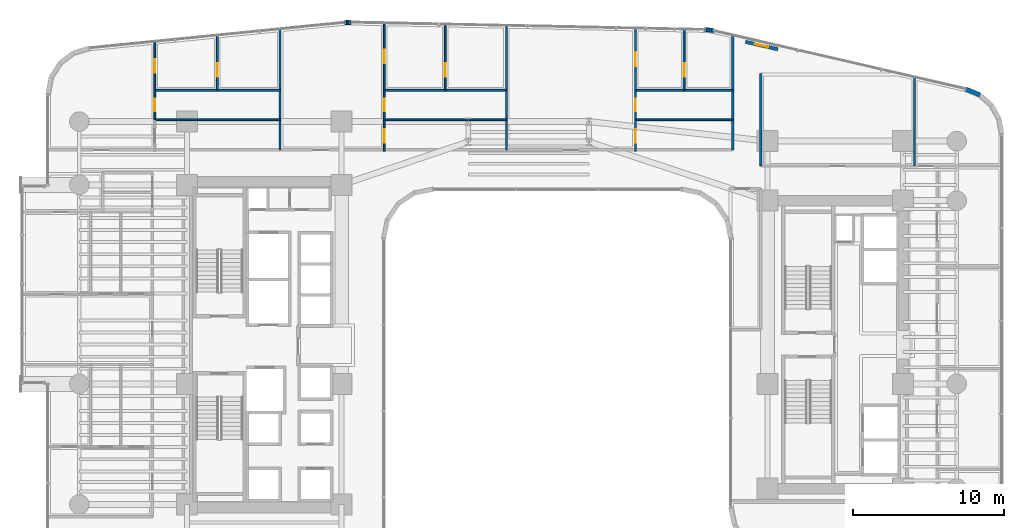
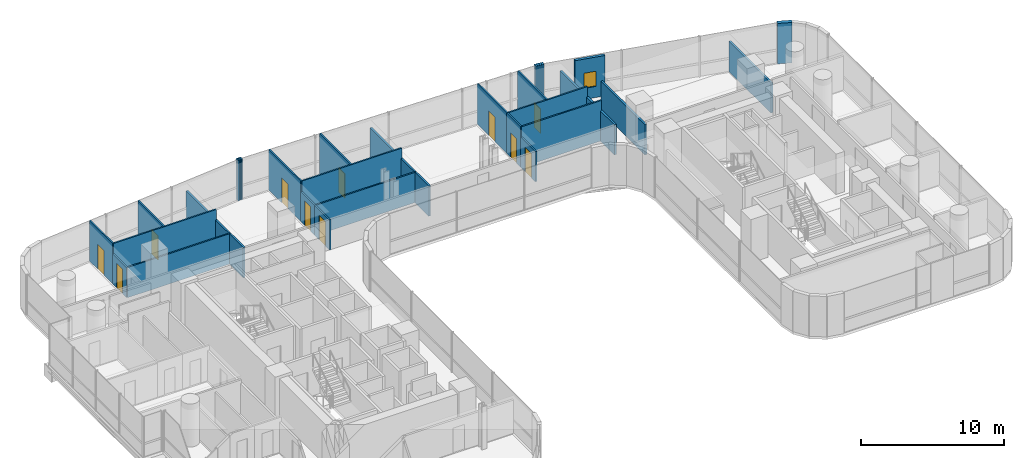
# One storey, part 33 of 40: 32 walls, 11 doors, 1 window, 12 openings.
"""IFC4 building model written with IfcOpenShell, lengths in metres."""

from ifc_helpers import new_model, si_unit, direction, frame, frame_2d, origin, place, context, subcontext, project, spatial, rectangle, extrude, material, layer, layer_set, type_object, element, fill, save


model = new_model("IFC4")

# Units and contexts
model_context = context("Model", 3, precision=1e-05, world=origin(), true_north=direction((0.0, 1.0)))
body_context = subcontext(model_context, "Body", "Model", "MODEL_VIEW")
ifc_project = project(units=[si_unit("LENGTHUNIT", "METRE"), si_unit("AREAUNIT", "SQUARE_METRE"), si_unit("VOLUMEUNIT", "CUBIC_METRE"), si_unit("PLANEANGLEUNIT", "RADIAN"), si_unit("MASSUNIT", "GRAM", prefix="KILO")], contexts=[model_context])

# Site, building, storey
site_placement = place(None, origin())
site = spatial("IfcSite", under=ifc_project, at=site_placement, CompositionType="ELEMENT")
building_placement = place(site_placement, origin())
building = spatial("IfcBuilding", under=site, at=building_placement, Name="Valdorenza Pilgrim Sanctuary Tower", CompositionType="ELEMENT")
storey_placement = place(building_placement, frame((0.0, 0.0, 44.5)))
storey = spatial("IfcBuildingStorey", under=building, at=storey_placement, Name="L10", CompositionType="ELEMENT", Elevation=44.5)

# Walls
ifc_material_1 = material(Name="Acoustic twin-stud gypsum partition", Category="gypsum")
ifc_layer_1 = layer(ifc_material_1, 0.159912109375, Name="Acoustic twin-stud gypsum partition")
ifc_layer_set_1 = layer_set([ifc_layer_1], Name="Acoustic twin-stud gypsum partition")
wall_type_1 = type_object("IfcWallType", Name="WAL-COR-160", PredefinedType="PARTITIONING", material=ifc_layer_set_1)
wall_1_placement = place(storey_placement, frame((13.550048828125, 12.919921875, 0.0), z_axis=(0.0, 0.0, 1.0), x_axis=(0.0, 1.0, 0.0)))
element("IfcWall", 1, at=wall_1_placement, inside=storey, type_object=wall_type_1, Name="L10 North Band East Closure", PredefinedType="PARTITIONING", context=body_context, shape_type="SweptSolid", body=[
    extrude(rectangle(XDim=7.609375, YDim=0.159912109375, at=frame_2d((3.8046875, 0.0))), origin(), (0.0, 0.0, 1.0), 2.5830078125),
])
wall_2_placement = place(storey_placement, frame((15.39990234375, 11.85009765625, 0.0), z_axis=(0.0, 0.0, 1.0), x_axis=(0.0, 1.0, 0.0)))
element("IfcWall", 2, at=wall_2_placement, inside=storey, type_object=wall_type_1, Name="L10 Wing B North West Wall", PredefinedType="PARTITIONING", context=body_context, shape_type="SweptSolid", body=[
    extrude(rectangle(XDim=6.14990234375, YDim=0.159912109375, at=frame_2d((3.074951171875, 0.0))), origin(), (0.0, 0.0, 1.0), 2.5830078125),
])
wall_3_placement = place(storey_placement, frame((25.60009765625, 11.85009765625, 0.0), z_axis=(0.0, 0.0, 1.0), x_axis=(0.0, 1.0, 0.0)))
element("IfcWall", 3, at=wall_3_placement, inside=storey, type_object=wall_type_1, Name="L10 Wing B North East Wall", PredefinedType="PARTITIONING", context=body_context, shape_type="SweptSolid", body=[
    extrude(rectangle(XDim=5.8984375, YDim=0.159912109375, at=frame_2d((2.94921875, 0.0))), origin(), (0.0, 0.0, 1.0), 2.5830078125),
])
ifc_material_2 = material(Name="Honed travertine limestone", Category="masonry")
ifc_layer_2 = layer(ifc_material_2, 0.300048828125, Name="Honed travertine limestone")
ifc_layer_set_2 = layer_set([ifc_layer_2], Name="Honed travertine limestone")
wall_type_2 = type_object("IfcWallType", Name="WAL-EXT-300", PredefinedType="SOLIDWALL", material=ifc_layer_set_2)
wall_4_placement = place(storey_placement, frame((-12.181884765625, 21.371337890625, 0.0), z_axis=(0.0, 0.0, 1.0), x_axis=(0.996527790842, 0.08326080759, 0.0)))
element("IfcWall", 4, at=wall_4_placement, inside=storey, type_object=wall_type_2, Name="L10 Rounded Wind-Corner Stone Pier 7", PredefinedType="SOLIDWALL", context=body_context, shape_type="SweptSolid", body=[
    extrude(rectangle(XDim=0.09375, YDim=0.300048828125, at=frame_2d((0.046875, 0.0))), origin(), (0.0, 0.0, 1.0), 3.4599609375),
])
wall_5_placement = place(storey_placement, frame((-12.08837890625, 21.379150390625, 0.0), z_axis=(0.0, 0.0, 1.0), x_axis=(0.998476480444, 0.055178963393, 0.0)))
element("IfcWall", 5, at=wall_5_placement, inside=storey, type_object=wall_type_2, Name="L10 Rounded Wind-Corner Stone Pier 8", PredefinedType="SOLIDWALL", context=body_context, shape_type="SweptSolid", body=[
    extrude(rectangle(XDim=0.093017578125, YDim=0.300048828125, at=frame_2d((0.04638671875, 0.0))), origin(), (0.0, 0.0, 1.0), 3.4599609375),
])
wall_6_placement = place(storey_placement, frame((-11.99560546875, 21.38427734375, 0.0), z_axis=(0.0, 0.0, 1.0), x_axis=(0.999722573757, 0.023553673204, 0.0)))
element("IfcWall", 6, at=wall_6_placement, inside=storey, type_object=wall_type_2, Name="L10 Rounded Wind-Corner Stone Pier 9", PredefinedType="SOLIDWALL", context=body_context, shape_type="SweptSolid", body=[
    extrude(rectangle(XDim=0.09326171875, YDim=0.300048828125, at=frame_2d((0.046630859375, 0.0))), origin(), (0.0, 0.0, 1.0), 3.4599609375),
])
wall_7_placement = place(storey_placement, frame((-11.90234375, 21.386474609375, 0.0), z_axis=(0.0, 0.0, 1.0), x_axis=(0.999986507273, -0.005194735103, 0.0)))
element("IfcWall", 7, at=wall_7_placement, inside=storey, type_object=wall_type_2, Name="L10 Rounded Wind-Corner Stone Pier 10", PredefinedType="SOLIDWALL", context=body_context, shape_type="SweptSolid", body=[
    extrude(rectangle(XDim=0.093994140625, YDim=0.300048828125, at=frame_2d((0.046875, 0.0))), origin(), (0.0, 0.0, 1.0), 3.4599609375),
])
wall_8_placement = place(storey_placement, frame((11.665771484375, 20.89697265625, 0.0), z_axis=(0.0, 0.0, 1.0), x_axis=(0.998885297239, -0.047203421059, 0.0)))
element("IfcWall", 8, at=wall_8_placement, inside=storey, type_object=wall_type_2, Name="L10 Rounded Wind-Corner Stone Pier 12", PredefinedType="SOLIDWALL", context=body_context, shape_type="SweptSolid", body=[
    extrude(rectangle(XDim=0.160400390625, YDim=0.300048828125, at=frame_2d((0.080078125, 0.0))), origin(), (0.0, 0.0, 1.0), 3.4599609375),
])
wall_9_placement = place(storey_placement, frame((11.825927734375, 20.889404296875, 0.0), z_axis=(0.0, 0.0, 1.0), x_axis=(0.995172891136, -0.098137234257, 0.0)))
element("IfcWall", 9, at=wall_9_placement, inside=storey, type_object=wall_type_2, Name="L10 Rounded Wind-Corner Stone Pier 13", PredefinedType="SOLIDWALL", context=body_context, shape_type="SweptSolid", body=[
    extrude(rectangle(XDim=0.1591796875, YDim=0.300048828125, at=frame_2d((0.07958984375, 0.0))), origin(), (0.0, 0.0, 1.0), 3.4599609375),
])
wall_10_placement = place(storey_placement, frame((11.984375, 20.873779296875, 0.0), z_axis=(0.0, 0.0, 1.0), x_axis=(0.988846069207, -0.148941100486, 0.0)))
element("IfcWall", 10, at=wall_10_placement, inside=storey, type_object=wall_type_2, Name="L10 Rounded Wind-Corner Stone Pier 14", PredefinedType="SOLIDWALL", context=body_context, shape_type="SweptSolid", body=[
    extrude(rectangle(XDim=0.158935546875, YDim=0.300048828125, at=frame_2d((0.07958984375, 0.0))), origin(), (0.0, 0.0, 1.0), 3.4599609375),
])
wall_11_placement = place(storey_placement, frame((12.1416015625, 20.85009765625, 0.0), z_axis=(0.0, 0.0, 1.0), x_axis=(0.979991950448, -0.19903712482, 0.0)))
element("IfcWall", 11, at=wall_11_placement, inside=storey, type_object=wall_type_2, Name="L10 Rounded Wind-Corner Stone Pier 15", PredefinedType="SOLIDWALL", context=body_context, shape_type="SweptSolid", body=[
    extrude(rectangle(XDim=0.16064453125, YDim=0.300048828125, at=frame_2d((0.080322265625, 0.0))), origin(), (0.0, 0.0, 1.0), 3.4599609375),
])

# Wall, opening, window
wall_12_placement = place(storey_placement, frame((14.388671875, 20.089599609375, 0.0), z_axis=(0.0, 0.0, 1.0), x_axis=(0.974400545997, -0.224818984875, 0.0)))
wall_12 = element("IfcWall", 12, at=wall_12_placement, inside=storey, type_object=wall_type_2, Name="L10 Operable Ventilation Sash Jamb Pier", PredefinedType="SOLIDWALL", context=body_context, shape_type="SweptSolid", body=[
    extrude(rectangle(XDim=2.2001953125, YDim=0.219970703125, at=frame_2d((1.10009765625, 0.0))), origin(), (0.0, 0.0, 1.0), 3.4599609375),
])
opening_1_placement = place(wall_12_placement, frame((0.64990234375, 0.0, 0.949951171875)))
opening_1 = element("IfcOpeningElement", 13, at=opening_1_placement, cuts=wall_12, Name="Opening WN-OP1", PredefinedType="OPENING", context=body_context, shape_type="SweptSolid", body=[
    extrude(rectangle(XDim=0.89990234375, YDim=1.300048828125, at=frame_2d((0.449951171875, 0.64990234375))), frame((0.0, 0.125, 0.0), z_axis=(0.0, -1.0, 0.0), x_axis=(1.0, 0.0, 0.0)), (0.0, 0.0, 1.0), 0.249755859375),
])
ifc_material_3 = material(Name="Ceramic-fritted low-E IGU glazing", Category="glass")
window_type = type_object("IfcWindowType", Name="WIN-OPN-900", PartitioningType="SINGLE_PANEL", PredefinedType="WINDOW", material=ifc_material_3)
window_placement = place(opening_1_placement, origin())
window = element("IfcWindow", 14, at=window_placement, inside=storey, type_object=window_type, Name="L10 Parallel-Pop-Out Operable Facade Panel", OverallHeight=1.300048828125, OverallWidth=0.89990234375, PartitioningType="SINGLE_PANEL", PredefinedType="WINDOW", context=body_context, shape_type="SweptSolid", body=[
    extrude(rectangle(XDim=0.89990234375, YDim=1.300048828125, at=frame_2d((0.449951171875, 0.64990234375))), frame((0.0, 0.030029296875, 0.0), z_axis=(0.0, -1.0, 0.0), x_axis=(1.0, 0.0, 0.0)), (0.0, 0.0, 1.0), 0.06005859375),
])
fill(opening_1, window)

# Walls
wall_13_placement = place(storey_placement, frame((28.98583984375, 16.96728515625, 0.0), z_axis=(0.0, 0.0, 1.0), x_axis=(0.923083852684, -0.384598753136, 0.0)))
element("IfcWall", 15, at=wall_13_placement, inside=storey, type_object=wall_type_2, Name="L10 Rounded Wind-Corner Stone Pier 17", PredefinedType="SOLIDWALL", context=body_context, shape_type="SweptSolid", body=[
    extrude(rectangle(XDim=1.042236328125, YDim=0.300048828125, at=frame_2d((0.52099609375, 0.0))), origin(), (0.0, 0.0, 1.0), 3.4599609375),
])
ifc_material_4 = material(Name="Moisture-resistant gypsum partition", Category="gypsum")
ifc_layer_3 = layer(ifc_material_4, 0.1201171875, Name="Moisture-resistant gypsum partition")
ifc_layer_set_3 = layer_set([ifc_layer_3], Name="Moisture-resistant gypsum partition")
wall_type_3 = type_object("IfcWallType", Name="WAL-INT-120", PredefinedType="PARTITIONING", material=ifc_layer_set_3)
wall_14_placement = place(storey_placement, frame((-24.802734375, 14.919921875, 0.0), z_axis=(0.0, 0.0, 1.0), x_axis=(1.0, 0.0, 0.0)))
element("IfcWall", 16, at=wall_14_placement, inside=storey, type_object=wall_type_3, Name="L10 North Family Flat L10-N1 Bath-Kitchen Wall", PredefinedType="PARTITIONING", context=body_context, shape_type="SweptSolid", body=[
    extrude(rectangle(XDim=8.31982421875, YDim=0.1201171875, at=frame_2d((4.159912109375, 0.0))), origin(), (0.0, 0.0, 1.0), 2.5830078125),
])
wall_15_placement = place(storey_placement, frame((-24.802734375, 16.8701171875, 0.0), z_axis=(0.0, 0.0, 1.0), x_axis=(1.0, 0.0, 0.0)))
element("IfcWall", 17, at=wall_15_placement, inside=storey, type_object=wall_type_3, Name="L10 North Family Flat L10-N1 Kitchen-Bedroom Wall", PredefinedType="PARTITIONING", context=body_context, shape_type="SweptSolid", body=[
    extrude(rectangle(XDim=8.31982421875, YDim=0.1201171875, at=frame_2d((4.159912109375, 0.0))), origin(), (0.0, 0.0, 1.0), 3.4599609375),
])

# Wall, opening, door
wall_16_placement = place(storey_placement, frame((-24.802734375, 14.919921875, 0.0), z_axis=(0.0, 0.0, 1.0), x_axis=(0.0, 1.0, 0.0)))
wall_16 = element("IfcWall", 18, at=wall_16_placement, inside=storey, type_object=wall_type_3, Name="L10 North Family Flat L10-N1 Bathroom Door Wall", PredefinedType="PARTITIONING", context=body_context, shape_type="SweptSolid", body=[
    extrude(rectangle(XDim=1.9501953125, YDim=0.1201171875, at=frame_2d((0.97509765625, 0.0))), origin(), (0.0, 0.0, 1.0), 2.5830078125),
])
opening_2_placement = place(wall_16_placement, frame((0.550048828125, 0.0, 0.0)))
opening_2 = element("IfcOpeningElement", 19, at=opening_2_placement, cuts=wall_16, Name="Opening DR-WC1", PredefinedType="OPENING", context=body_context, shape_type="SweptSolid", body=[
    extrude(rectangle(XDim=0.85009765625, YDim=2.10009765625, at=frame_2d((0.425048828125, 1.050048828125))), frame((0.0, 0.074951171875, 0.0), z_axis=(0.0, -1.0, 0.0), x_axis=(1.0, 0.0, 0.0)), (0.0, 0.0, 1.0), 0.14990234375),
])
ifc_material_5 = material(Name="Moisture-resistant lacquered timber", Category="wood")
door_type_1 = type_object("IfcDoorType", Name="DR-BATH-850", OperationType="NOTDEFINED", PredefinedType="DOOR", material=ifc_material_5)
door_1_placement = place(opening_2_placement, origin())
door_1 = element("IfcDoor", 20, at=door_1_placement, inside=storey, type_object=door_type_1, Name="L10 North Family Flat L10-N1 Bathroom Door", OperationType="SINGLE_SWING_RIGHT", OverallHeight=2.10009765625, OverallWidth=0.85009765625, PredefinedType="DOOR", context=body_context, shape_type="SweptSolid", body=[
    extrude(rectangle(XDim=0.85009765625, YDim=2.10009765625, at=frame_2d((0.425048828125, 1.050048828125))), frame((0.0, 0.02490234375, 0.0), z_axis=(0.0, -1.0, 0.0), x_axis=(1.0, 0.0, 0.0)), (0.0, 0.0, 1.0), 0.050048828125),
])
fill(opening_2, door_1)

wall_17_placement = place(storey_placement, frame((-24.802734375, 16.8701171875, 0.0), z_axis=(0.0, 0.0, 1.0), x_axis=(0.0, 1.0, 0.0)))
wall_17 = element("IfcWall", 21, at=wall_17_placement, inside=storey, type_object=wall_type_3, Name="L10 North Family Flat L10-N1 Bedroom Door Wall", PredefinedType="PARTITIONING", context=body_context, shape_type="SweptSolid", body=[
    extrude(rectangle(XDim=3.239013671875, YDim=0.1201171875, at=frame_2d((1.61962890625, 0.0))), origin(), (0.0, 0.0, 1.0), 3.4599609375),
])
opening_3_placement = place(wall_17_placement, frame((1.169921875, 0.0, 0.0)))
opening_3 = element("IfcOpeningElement", 22, at=opening_3_placement, cuts=wall_17, Name="Opening DR-RM1", PredefinedType="OPENING", context=body_context, shape_type="SweptSolid", body=[
    extrude(rectangle(XDim=0.89990234375, YDim=2.10009765625, at=frame_2d((0.449951171875, 1.050048828125))), frame((0.0, 0.074951171875, 0.0), z_axis=(0.0, -1.0, 0.0), x_axis=(1.0, 0.0, 0.0)), (0.0, 0.0, 1.0), 0.14990234375),
])
ifc_material_6 = material(Name="Solid-core European oak timber", Category="wood")
door_type_2 = type_object("IfcDoorType", Name="DR-ROOM-900", OperationType="NOTDEFINED", PredefinedType="DOOR", material=ifc_material_6)
door_2_placement = place(opening_3_placement, origin())
door_2 = element("IfcDoor", 23, at=door_2_placement, inside=storey, type_object=door_type_2, Name="L10 North Family Flat L10-N1 Bedroom 1 Door", OperationType="SINGLE_SWING_RIGHT", OverallHeight=2.10009765625, OverallWidth=0.89990234375, PredefinedType="DOOR", context=body_context, shape_type="SweptSolid", body=[
    extrude(rectangle(XDim=0.89990234375, YDim=2.10009765625, at=frame_2d((0.449951171875, 1.050048828125))), frame((0.0, 0.02490234375, 0.0), z_axis=(0.0, -1.0, 0.0), x_axis=(1.0, 0.0, 0.0)), (0.0, 0.0, 1.0), 0.050048828125),
])
fill(opening_3, door_2)

wall_18_placement = place(storey_placement, frame((-20.642822265625, 16.8701171875, 0.0), z_axis=(0.0, 0.0, 1.0), x_axis=(0.0, 1.0, 0.0)))
wall_18 = element("IfcWall", 24, at=wall_18_placement, inside=storey, type_object=wall_type_3, Name="L10 North Family Flat L10-N1 Bedroom 2 Wall", PredefinedType="PARTITIONING", context=body_context, shape_type="SweptSolid", body=[
    extrude(rectangle(XDim=3.655029296875, YDim=0.1201171875, at=frame_2d((1.82763671875, 0.0))), origin(), (0.0, 0.0, 1.0), 3.4599609375),
])
opening_4_placement = place(wall_18_placement, frame((0.89990234375, 0.0, 0.0)))
opening_4 = element("IfcOpeningElement", 25, at=opening_4_placement, cuts=wall_18, Name="Opening DR-RM1", PredefinedType="OPENING", context=body_context, shape_type="SweptSolid", body=[
    extrude(rectangle(XDim=0.89990234375, YDim=2.10009765625, at=frame_2d((0.449951171875, 1.050048828125))), frame((0.0, 0.074951171875, 0.0), z_axis=(0.0, -1.0, 0.0), x_axis=(1.0, 0.0, 0.0)), (0.0, 0.0, 1.0), 0.14990234375),
])
door_3_placement = place(opening_4_placement, frame((0.89990234375, 0.0, 0.0), z_axis=(0.0, 0.0, 1.0), x_axis=(-1.0, 0.0, 0.0)))
door_3 = element("IfcDoor", 26, at=door_3_placement, inside=storey, type_object=door_type_2, Name="L10 North Family Flat L10-N1 Bedroom 2 Door", OperationType="SINGLE_SWING_LEFT", OverallHeight=2.10009765625, OverallWidth=0.89990234375, PredefinedType="DOOR", context=body_context, shape_type="SweptSolid", body=[
    extrude(rectangle(XDim=0.89990234375, YDim=2.10009765625, at=frame_2d((0.449951171875, 1.050048828125))), frame((0.0, 0.02490234375, 0.0), z_axis=(0.0, -1.0, 0.0), x_axis=(1.0, 0.0, 0.0)), (0.0, 0.0, 1.0), 0.050048828125),
])
fill(opening_4, door_3)

# Walls
wall_19_placement = place(storey_placement, frame((-9.57568359375, 14.919921875, 0.0), z_axis=(0.0, 0.0, 1.0), x_axis=(1.0, 0.0, 0.0)))
element("IfcWall", 27, at=wall_19_placement, inside=storey, type_object=wall_type_3, Name="L10 North Family Flat L10-N2 Bath-Kitchen Wall", PredefinedType="PARTITIONING", context=body_context, shape_type="SweptSolid", body=[
    extrude(rectangle(XDim=8.108642578125, YDim=0.1201171875, at=frame_2d((4.05419921875, 0.0))), origin(), (0.0, 0.0, 1.0), 2.5830078125),
])
wall_20_placement = place(storey_placement, frame((-9.57568359375, 16.8701171875, 0.0), z_axis=(0.0, 0.0, 1.0), x_axis=(1.0, 0.0, 0.0)))
element("IfcWall", 28, at=wall_20_placement, inside=storey, type_object=wall_type_3, Name="L10 North Family Flat L10-N2 Kitchen-Bedroom Wall", PredefinedType="PARTITIONING", context=body_context, shape_type="SweptSolid", body=[
    extrude(rectangle(XDim=8.108642578125, YDim=0.1201171875, at=frame_2d((4.05419921875, 0.0))), origin(), (0.0, 0.0, 1.0), 3.4599609375),
])

# Wall, opening, door
wall_21_placement = place(storey_placement, frame((-9.57568359375, 14.919921875, 0.0), z_axis=(0.0, 0.0, 1.0), x_axis=(0.0, 1.0, 0.0)))
wall_21 = element("IfcWall", 29, at=wall_21_placement, inside=storey, type_object=wall_type_3, Name="L10 North Family Flat L10-N2 Bathroom Door Wall", PredefinedType="PARTITIONING", context=body_context, shape_type="SweptSolid", body=[
    extrude(rectangle(XDim=1.9501953125, YDim=0.1201171875, at=frame_2d((0.97509765625, 0.0))), origin(), (0.0, 0.0, 1.0), 2.5830078125),
])
opening_5_placement = place(wall_21_placement, frame((0.550048828125, 0.0, 0.0)))
opening_5 = element("IfcOpeningElement", 30, at=opening_5_placement, cuts=wall_21, Name="Opening DR-WC1", PredefinedType="OPENING", context=body_context, shape_type="SweptSolid", body=[
    extrude(rectangle(XDim=0.85009765625, YDim=2.10009765625, at=frame_2d((0.425048828125, 1.050048828125))), frame((0.0, 0.074951171875, 0.0), z_axis=(0.0, -1.0, 0.0), x_axis=(1.0, 0.0, 0.0)), (0.0, 0.0, 1.0), 0.14990234375),
])
door_4_placement = place(opening_5_placement, origin())
door_4 = element("IfcDoor", 31, at=door_4_placement, inside=storey, type_object=door_type_1, Name="L10 North Family Flat L10-N2 Bathroom Door", OperationType="SINGLE_SWING_LEFT", OverallHeight=2.10009765625, OverallWidth=0.85009765625, PredefinedType="DOOR", context=body_context, shape_type="SweptSolid", body=[
    extrude(rectangle(XDim=0.85009765625, YDim=2.10009765625, at=frame_2d((0.425048828125, 1.050048828125))), frame((0.0, 0.02490234375, 0.0), z_axis=(0.0, -1.0, 0.0), x_axis=(1.0, 0.0, 0.0)), (0.0, 0.0, 1.0), 0.050048828125),
])
fill(opening_5, door_4)

wall_22_placement = place(storey_placement, frame((-9.57568359375, 12.840087890625, 0.0), z_axis=(0.0, 0.0, 1.0), x_axis=(0.0, 1.0, 0.0)))
wall_22 = element("IfcWall", 32, at=wall_22_placement, inside=storey, type_object=wall_type_3, Name="L10 North Family Flat L10-N2 Kitchen Door Wall", PredefinedType="PARTITIONING", context=body_context, shape_type="SweptSolid", body=[
    extrude(rectangle(XDim=2.079833984375, YDim=0.1201171875, at=frame_2d((1.0400390625, 0.0))), origin(), (0.0, 0.0, 1.0), 2.5830078125),
])
opening_6_placement = place(wall_22_placement, frame((0.550048828125, 0.0, 0.0)))
opening_6 = element("IfcOpeningElement", 33, at=opening_6_placement, cuts=wall_22, Name="Opening DR-RM1", PredefinedType="OPENING", context=body_context, shape_type="SweptSolid", body=[
    extrude(rectangle(XDim=0.89990234375, YDim=2.10009765625, at=frame_2d((0.449951171875, 1.050048828125))), frame((0.0, 0.074951171875, 0.0), z_axis=(0.0, -1.0, 0.0), x_axis=(1.0, 0.0, 0.0)), (0.0, 0.0, 1.0), 0.14990234375),
])
door_5_placement = place(opening_6_placement, origin())
door_5 = element("IfcDoor", 34, at=door_5_placement, inside=storey, type_object=door_type_2, Name="L10 North Family Flat L10-N2 Kitchen Door", OperationType="SINGLE_SWING_RIGHT", OverallHeight=2.10009765625, OverallWidth=0.89990234375, PredefinedType="DOOR", context=body_context, shape_type="SweptSolid", body=[
    extrude(rectangle(XDim=0.89990234375, YDim=2.10009765625, at=frame_2d((0.449951171875, 1.050048828125))), frame((0.0, 0.02490234375, 0.0), z_axis=(0.0, -1.0, 0.0), x_axis=(1.0, 0.0, 0.0)), (0.0, 0.0, 1.0), 0.050048828125),
])
fill(opening_6, door_5)

wall_23_placement = place(storey_placement, frame((-9.57568359375, 16.8701171875, 0.0), z_axis=(0.0, 0.0, 1.0), x_axis=(0.0, 1.0, 0.0)))
wall_23 = element("IfcWall", 35, at=wall_23_placement, inside=storey, type_object=wall_type_3, Name="L10 North Family Flat L10-N2 Bedroom Door Wall", PredefinedType="PARTITIONING", context=body_context, shape_type="SweptSolid", body=[
    extrude(rectangle(XDim=4.469482421875, YDim=0.1201171875, at=frame_2d((2.23486328125, 0.0))), origin(), (0.0, 0.0, 1.0), 3.4599609375),
])
opening_7_placement = place(wall_23_placement, frame((1.784912109375, 0.0, 0.0)))
opening_7 = element("IfcOpeningElement", 36, at=opening_7_placement, cuts=wall_23, Name="Opening DR-RM1", PredefinedType="OPENING", context=body_context, shape_type="SweptSolid", body=[
    extrude(rectangle(XDim=0.89990234375, YDim=2.10009765625, at=frame_2d((0.449951171875, 1.050048828125))), frame((0.0, 0.074951171875, 0.0), z_axis=(0.0, -1.0, 0.0), x_axis=(1.0, 0.0, 0.0)), (0.0, 0.0, 1.0), 0.14990234375),
])
door_6_placement = place(opening_7_placement, frame((0.89990234375, 0.0, 0.0), z_axis=(0.0, 0.0, 1.0), x_axis=(-1.0, 0.0, 0.0)))
door_6 = element("IfcDoor", 37, at=door_6_placement, inside=storey, type_object=door_type_2, Name="L10 North Family Flat L10-N2 Bedroom 1 Door", OperationType="SINGLE_SWING_LEFT", OverallHeight=2.10009765625, OverallWidth=0.89990234375, PredefinedType="DOOR", context=body_context, shape_type="SweptSolid", body=[
    extrude(rectangle(XDim=0.89990234375, YDim=2.10009765625, at=frame_2d((0.449951171875, 1.050048828125))), frame((0.0, 0.02490234375, 0.0), z_axis=(0.0, -1.0, 0.0), x_axis=(1.0, 0.0, 0.0)), (0.0, 0.0, 1.0), 0.050048828125),
])
fill(opening_7, door_6)

wall_24_placement = place(storey_placement, frame((-5.521240234375, 16.8701171875, 0.0), z_axis=(0.0, 0.0, 1.0), x_axis=(0.0, 1.0, 0.0)))
wall_24 = element("IfcWall", 38, at=wall_24_placement, inside=storey, type_object=wall_type_3, Name="L10 North Family Flat L10-N2 Bedroom 2 Wall", PredefinedType="PARTITIONING", context=body_context, shape_type="SweptSolid", body=[
    extrude(rectangle(XDim=4.384765625, YDim=0.1201171875, at=frame_2d((2.1923828125, 0.0))), origin(), (0.0, 0.0, 1.0), 3.4599609375),
])
opening_8_placement = place(wall_24_placement, frame((0.89990234375, 0.0, 0.0)))
opening_8 = element("IfcOpeningElement", 39, at=opening_8_placement, cuts=wall_24, Name="Opening DR-RM1", PredefinedType="OPENING", context=body_context, shape_type="SweptSolid", body=[
    extrude(rectangle(XDim=0.89990234375, YDim=2.10009765625, at=frame_2d((0.449951171875, 1.050048828125))), frame((0.0, 0.074951171875, 0.0), z_axis=(0.0, -1.0, 0.0), x_axis=(1.0, 0.0, 0.0)), (0.0, 0.0, 1.0), 0.14990234375),
])
door_7_placement = place(opening_8_placement, origin())
door_7 = element("IfcDoor", 40, at=door_7_placement, inside=storey, type_object=door_type_2, Name="L10 North Family Flat L10-N2 Bedroom 2 Door", OperationType="SINGLE_SWING_RIGHT", OverallHeight=2.10009765625, OverallWidth=0.89990234375, PredefinedType="DOOR", context=body_context, shape_type="SweptSolid", body=[
    extrude(rectangle(XDim=0.89990234375, YDim=2.10009765625, at=frame_2d((0.449951171875, 1.050048828125))), frame((0.0, 0.02490234375, 0.0), z_axis=(0.0, -1.0, 0.0), x_axis=(1.0, 0.0, 0.0)), (0.0, 0.0, 1.0), 0.050048828125),
])
fill(opening_8, door_7)

# Walls
for number, where, z_axis, x_axis, name in (
    (41, (7.0908203125, 14.919921875, 0.0), (0.0, 0.0, 1.0), (1.0, 0.0, 0.0), "L10 North Family Flat L10-N3 Bath-Kitchen Wall"),
    (42, (7.0908203125, 16.8701171875, 0.0), (0.0, 0.0, 1.0), (1.0, 0.0, 0.0), "L10 North Family Flat L10-N3 Kitchen-Bedroom Wall"),
):
    element("IfcWall", number, at=place(storey_placement, frame(where, z_axis=z_axis, x_axis=x_axis)), inside=storey, type_object=wall_type_3, Name=name, PredefinedType="PARTITIONING", context=body_context, shape_type="SweptSolid", body=[
        extrude(rectangle(XDim=6.459228515625, YDim=0.1201171875, at=frame_2d((3.2294921875, 0.0))), origin(), (0.0, 0.0, 1.0), 3.4599609375),
    ])

# Wall, opening, door
wall_25_placement = place(storey_placement, frame((7.0908203125, 14.919921875, 0.0), z_axis=(0.0, 0.0, 1.0), x_axis=(0.0, 1.0, 0.0)))
wall_25 = element("IfcWall", 43, at=wall_25_placement, inside=storey, type_object=wall_type_3, Name="L10 North Family Flat L10-N3 Bathroom Door Wall", PredefinedType="PARTITIONING", context=body_context, shape_type="SweptSolid", body=[
    extrude(rectangle(XDim=1.9501953125, YDim=0.1201171875, at=frame_2d((0.97509765625, 0.0))), origin(), (0.0, 0.0, 1.0), 3.4599609375),
])
opening_9_placement = place(wall_25_placement, frame((0.550048828125, 0.0, 0.0)))
opening_9 = element("IfcOpeningElement", 44, at=opening_9_placement, cuts=wall_25, Name="Opening DR-WC1", PredefinedType="OPENING", context=body_context, shape_type="SweptSolid", body=[
    extrude(rectangle(XDim=0.85009765625, YDim=2.10009765625, at=frame_2d((0.425048828125, 1.050048828125))), frame((0.0, 0.074951171875, 0.0), z_axis=(0.0, -1.0, 0.0), x_axis=(1.0, 0.0, 0.0)), (0.0, 0.0, 1.0), 0.14990234375),
])
door_8_placement = place(opening_9_placement, origin())
door_8 = element("IfcDoor", 45, at=door_8_placement, inside=storey, type_object=door_type_1, Name="L10 North Family Flat L10-N3 Bathroom Door", OperationType="SINGLE_SWING_RIGHT", OverallHeight=2.10009765625, OverallWidth=0.85009765625, PredefinedType="DOOR", context=body_context, shape_type="SweptSolid", body=[
    extrude(rectangle(XDim=0.85009765625, YDim=2.10009765625, at=frame_2d((0.425048828125, 1.050048828125))), frame((0.0, 0.02490234375, 0.0), z_axis=(0.0, -1.0, 0.0), x_axis=(1.0, 0.0, 0.0)), (0.0, 0.0, 1.0), 0.050048828125),
])
fill(opening_9, door_8)

wall_26_placement = place(storey_placement, frame((7.0908203125, 12.840087890625, 0.0), z_axis=(0.0, 0.0, 1.0), x_axis=(0.0, 1.0, 0.0)))
wall_26 = element("IfcWall", 46, at=wall_26_placement, inside=storey, type_object=wall_type_3, Name="L10 North Family Flat L10-N3 Kitchen Door Wall", PredefinedType="PARTITIONING", context=body_context, shape_type="SweptSolid", body=[
    extrude(rectangle(XDim=2.079833984375, YDim=0.1201171875, at=frame_2d((1.0400390625, 0.0))), origin(), (0.0, 0.0, 1.0), 2.5830078125),
])
opening_10_placement = place(wall_26_placement, frame((0.550048828125, 0.0, 0.0)))
opening_10 = element("IfcOpeningElement", 47, at=opening_10_placement, cuts=wall_26, Name="Opening DR-RM1", PredefinedType="OPENING", context=body_context, shape_type="SweptSolid", body=[
    extrude(rectangle(XDim=0.89990234375, YDim=2.10009765625, at=frame_2d((0.449951171875, 1.050048828125))), frame((0.0, 0.074951171875, 0.0), z_axis=(0.0, -1.0, 0.0), x_axis=(1.0, 0.0, 0.0)), (0.0, 0.0, 1.0), 0.14990234375),
])
door_9_placement = place(opening_10_placement, origin())
door_9 = element("IfcDoor", 48, at=door_9_placement, inside=storey, type_object=door_type_2, Name="L10 North Family Flat L10-N3 Kitchen Door", OperationType="SINGLE_SWING_LEFT", OverallHeight=2.10009765625, OverallWidth=0.89990234375, PredefinedType="DOOR", context=body_context, shape_type="SweptSolid", body=[
    extrude(rectangle(XDim=0.89990234375, YDim=2.10009765625, at=frame_2d((0.449951171875, 1.050048828125))), frame((0.0, 0.02490234375, 0.0), z_axis=(0.0, -1.0, 0.0), x_axis=(1.0, 0.0, 0.0)), (0.0, 0.0, 1.0), 0.050048828125),
])
fill(opening_10, door_9)

wall_27_placement = place(storey_placement, frame((7.0908203125, 16.8701171875, 0.0), z_axis=(0.0, 0.0, 1.0), x_axis=(0.0, 1.0, 0.0)))
wall_27 = element("IfcWall", 49, at=wall_27_placement, inside=storey, type_object=wall_type_3, Name="L10 North Family Flat L10-N3 Bedroom Door Wall", PredefinedType="PARTITIONING", context=body_context, shape_type="SweptSolid", body=[
    extrude(rectangle(XDim=4.1220703125, YDim=0.1201171875, at=frame_2d((2.06103515625, 0.0))), origin(), (0.0, 0.0, 1.0), 3.4599609375),
])
opening_11_placement = place(wall_27_placement, frame((1.611083984375, 0.0, 0.0)))
opening_11 = element("IfcOpeningElement", 50, at=opening_11_placement, cuts=wall_27, Name="Opening DR-RM1", PredefinedType="OPENING", context=body_context, shape_type="SweptSolid", body=[
    extrude(rectangle(XDim=0.89990234375, YDim=2.10009765625, at=frame_2d((0.449951171875, 1.050048828125))), frame((0.0, 0.074951171875, 0.0), z_axis=(0.0, -1.0, 0.0), x_axis=(1.0, 0.0, 0.0)), (0.0, 0.0, 1.0), 0.14990234375),
])
door_10_placement = place(opening_11_placement, origin())
door_10 = element("IfcDoor", 51, at=door_10_placement, inside=storey, type_object=door_type_2, Name="L10 North Family Flat L10-N3 Bedroom 1 Door", OperationType="SINGLE_SWING_RIGHT", OverallHeight=2.10009765625, OverallWidth=0.89990234375, PredefinedType="DOOR", context=body_context, shape_type="SweptSolid", body=[
    extrude(rectangle(XDim=0.89990234375, YDim=2.10009765625, at=frame_2d((0.449951171875, 1.050048828125))), frame((0.0, 0.02490234375, 0.0), z_axis=(0.0, -1.0, 0.0), x_axis=(1.0, 0.0, 0.0)), (0.0, 0.0, 1.0), 0.050048828125),
])
fill(opening_11, door_10)

wall_28_placement = place(storey_placement, frame((10.3203125, 16.8701171875, 0.0), z_axis=(0.0, 0.0, 1.0), x_axis=(0.0, 1.0, 0.0)))
wall_28 = element("IfcWall", 52, at=wall_28_placement, inside=storey, type_object=wall_type_3, Name="L10 North Family Flat L10-N3 Bedroom 2 Wall", PredefinedType="PARTITIONING", context=body_context, shape_type="SweptSolid", body=[
    extrude(rectangle(XDim=4.054931640625, YDim=0.1201171875, at=frame_2d((2.02734375, 0.0))), origin(), (0.0, 0.0, 1.0), 3.4599609375),
])
opening_12_placement = place(wall_28_placement, frame((0.89990234375, 0.0, 0.0)))
opening_12 = element("IfcOpeningElement", 53, at=opening_12_placement, cuts=wall_28, Name="Opening DR-RM1", PredefinedType="OPENING", context=body_context, shape_type="SweptSolid", body=[
    extrude(rectangle(XDim=0.89990234375, YDim=2.10009765625, at=frame_2d((0.449951171875, 1.050048828125))), frame((0.0, 0.074951171875, 0.0), z_axis=(0.0, -1.0, 0.0), x_axis=(1.0, 0.0, 0.0)), (0.0, 0.0, 1.0), 0.14990234375),
])
door_11_placement = place(opening_12_placement, frame((0.89990234375, 0.0, 0.0), z_axis=(0.0, 0.0, 1.0), x_axis=(-1.0, 0.0, 0.0)))
door_11 = element("IfcDoor", 54, at=door_11_placement, inside=storey, type_object=door_type_2, Name="L10 North Family Flat L10-N3 Bedroom 2 Door", OperationType="SINGLE_SWING_LEFT", OverallHeight=2.10009765625, OverallWidth=0.89990234375, PredefinedType="DOOR", context=body_context, shape_type="SweptSolid", body=[
    extrude(rectangle(XDim=0.89990234375, YDim=2.10009765625, at=frame_2d((0.449951171875, 1.050048828125))), frame((0.0, 0.02490234375, 0.0), z_axis=(0.0, -1.0, 0.0), x_axis=(1.0, 0.0, 0.0)), (0.0, 0.0, 1.0), 0.050048828125),
])
fill(opening_12, door_11)

# Walls
ifc_layer_4 = layer(ifc_material_1, 0.14990234375, Name="Acoustic twin-stud gypsum partition")
ifc_layer_set_4 = layer_set([ifc_layer_4], Name="Acoustic twin-stud gypsum partition")
wall_type_4 = type_object("IfcWallType", Name="WAL-UNT-150", PredefinedType="PARTITIONING", material=ifc_layer_set_4)
wall_29_placement = place(storey_placement, frame((-16.48291015625, 12.919921875, 0.0), z_axis=(0.0, 0.0, 1.0), x_axis=(0.0, 1.0, 0.0)))
element("IfcWall", 55, at=wall_29_placement, inside=storey, type_object=wall_type_4, Name="L10 North Flat Demising 1", PredefinedType="PARTITIONING", context=body_context, shape_type="SweptSolid", body=[
    extrude(rectangle(XDim=8.021240234375, YDim=0.14990234375, at=frame_2d((4.0107421875, 0.0))), origin(), (0.0, 0.0, 1.0), 2.5830078125),
])
wall_30_placement = place(storey_placement, frame((-1.467041015625, 12.919921875, 0.0), z_axis=(0.0, 0.0, 1.0), x_axis=(0.0, 1.0, 0.0)))
element("IfcWall", 56, at=wall_30_placement, inside=storey, type_object=wall_type_4, Name="L10 North Flat Demising 2", PredefinedType="PARTITIONING", context=body_context, shape_type="SweptSolid", body=[
    extrude(rectangle(XDim=8.250732421875, YDim=0.14990234375, at=frame_2d((4.12548828125, 0.0))), origin(), (0.0, 0.0, 1.0), 2.5830078125),
])

save(model, "model.ifc")
